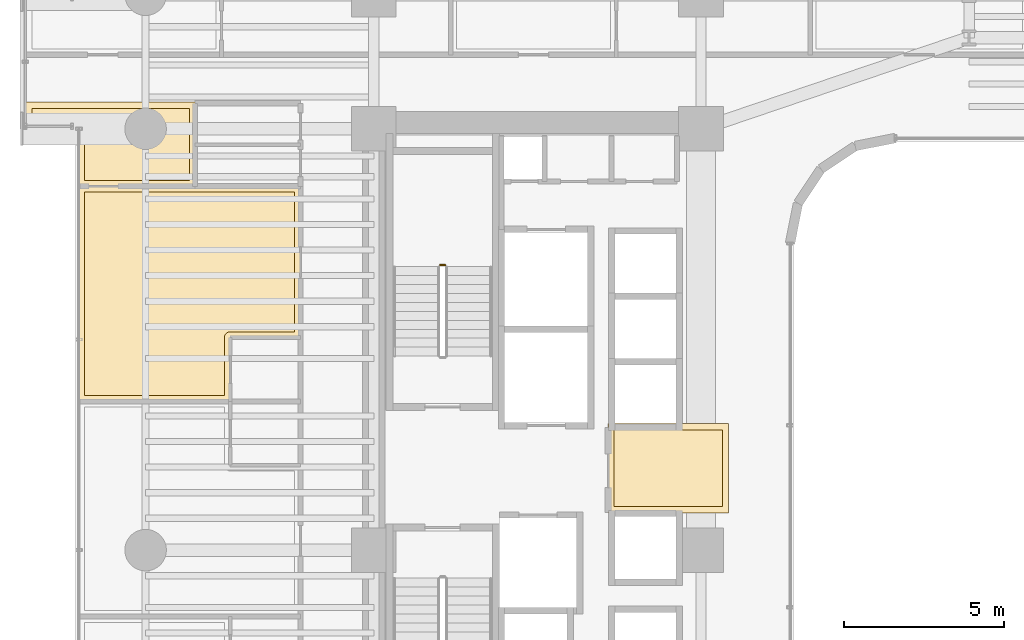
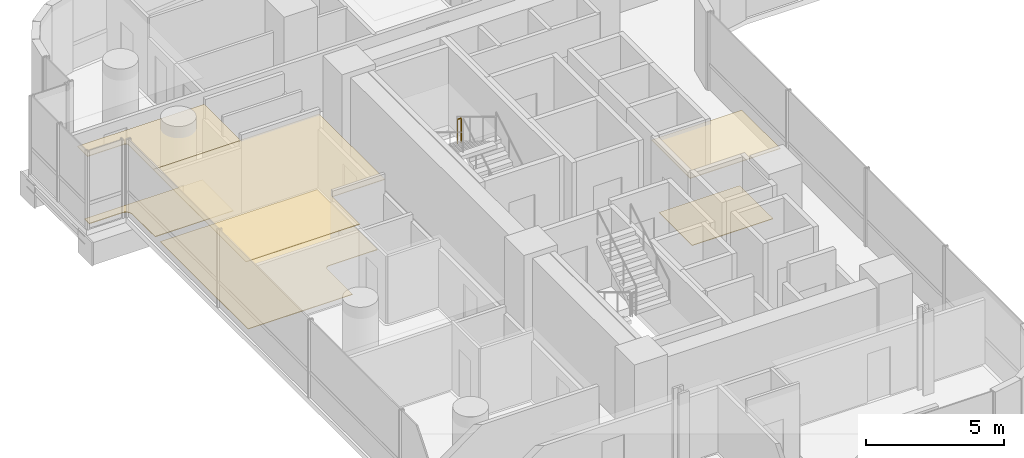
# One storey, part 38 of 42: 6 coverings, 1 railing.
"""IFC4 building model written with IfcOpenShell, lengths in metres."""

from ifc_helpers import new_model, si_unit, direction, frame, origin, origin_2d, place, context, subcontext, project, spatial, polyline, circle, outline, extrude, material, layer, layer_set, type_object, element, save


model = new_model("IFC4")

# Units and contexts
model_context = context("Model", 3, precision=1e-05, world=origin(), true_north=direction((0.0, 1.0)))
body_context = subcontext(model_context, "Body", "Model", "MODEL_VIEW")
ifc_project = project(units=[si_unit("LENGTHUNIT", "METRE"), si_unit("AREAUNIT", "SQUARE_METRE"), si_unit("VOLUMEUNIT", "CUBIC_METRE"), si_unit("PLANEANGLEUNIT", "RADIAN"), si_unit("MASSUNIT", "GRAM", prefix="KILO")], contexts=[model_context])

# Site, building, storey
site_placement = place(None, origin())
site = spatial("IfcSite", under=ifc_project, at=site_placement, CompositionType="ELEMENT")
building_placement = place(site_placement, origin())
building = spatial("IfcBuilding", under=site, at=building_placement, Name="Valdorenza Pilgrim Sanctuary Tower", CompositionType="ELEMENT")
storey_placement = place(building_placement, frame((0.0, 0.0, 55.60009765625)))
storey = spatial("IfcBuildingStorey", under=building, at=storey_placement, Name="L13", CompositionType="ELEMENT", Elevation=55.60009765625)

# Coverings
ifc_material_1 = material(Name="Micro-perforated acoustic mineral ceiling tile", Category="gypsum")
ifc_layer_1 = layer(ifc_material_1, 0.02490234375, Name="Micro-perforated acoustic mineral ceiling tile")
ifc_layer_set_1 = layer_set([ifc_layer_1], Name="Micro-perforated acoustic mineral ceiling tile")
covering_type_1 = type_object("IfcCoveringType", Name="COV-CLG-ACU", PredefinedType="CEILING", material=ifc_layer_set_1)
covering_1_placement = place(storey_placement, frame((0.0, 0.0, 3.159912109375)))
element("IfcCovering", 1, at=covering_1_placement, inside=storey, type_object=covering_type_1, Name="L13 Core A Passenger Lift Lobby Acoustic Ceiling", PredefinedType="CEILING", context=body_context, shape_type="SweptSolid", body=[
    extrude(outline(polyline([(-15.31298828125, 1.244384765625), (-15.31298828125, 1.24462890625), (-15.313720703125, 1.24609375), (-15.314208984375, 1.24755859375), (-15.314697265625, 1.2490234375), (-15.31494140625, 1.25048828125), (-15.31494140625, 1.251953125), (-15.31494140625, 1.35009765625), (-15.31494140625, 1.3515625), (-15.314697265625, 1.352783203125), (-15.314453125, 1.3544921875), (-15.31396484375, 1.355712890625), (-15.313232421875, 1.357177734375), (-15.3125, 1.3583984375), (-15.3115234375, 1.359619140625), (-15.310546875, 1.360595703125), (-15.3095703125, 1.361572265625), (-15.308349609375, 1.362548828125), (-15.30712890625, 1.36328125), (-15.3056640625, 1.364013671875), (-15.304443359375, 1.364501953125), (-15.302978515625, 1.36474609375), (-15.301513671875, 1.364990234375), (-15.300048828125, 1.364990234375), (-15.10205078125, 1.364990234375), (-15.1005859375, 1.364990234375), (-15.09912109375, 1.36474609375), (-15.097412109375, 1.3642578125), (-15.09619140625, 1.36376953125), (-15.0947265625, 1.363037109375), (-15.094482421875, 1.363037109375), (-13.185546875, 1.363037109375), (-13.185302734375, 1.363037109375), (-13.183837890625, 1.36376953125), (-13.1826171875, 1.3642578125), (-13.180908203125, 1.36474609375), (-13.179443359375, 1.364990234375), (-13.177978515625, 1.364990234375), (-11.550048828125, 1.364990234375), (-11.548583984375, 1.364990234375), (-11.547119140625, 1.36474609375), (-11.545654296875, 1.364501953125), (-11.544189453125, 1.364013671875), (-11.54296875, 1.36328125), (-11.541748046875, 1.362548828125), (-11.54052734375, 1.361572265625), (-11.539306640625, 1.360595703125), (-11.538330078125, 1.359619140625), (-11.53759765625, 1.3583984375), (-11.536865234375, 1.357177734375), (-11.5361328125, 1.355712890625), (-11.53564453125, 1.3544921875), (-11.535400390625, 1.352783203125), (-11.53515625, 1.3515625), (-11.534912109375, 1.35009765625), (-11.534912109375, -1.419921875), (-11.53515625, -1.42138671875), (-11.535400390625, -1.4228515625), (-11.53564453125, -1.42431640625), (-11.5361328125, -1.42578125), (-11.536865234375, -1.427001953125), (-11.53759765625, -1.42822265625), (-11.538330078125, -1.429443359375), (-11.539306640625, -1.4306640625), (-11.54052734375, -1.431640625), (-11.541748046875, -1.4326171875), (-11.54296875, -1.43310546875), (-11.544189453125, -1.433837890625), (-11.545654296875, -1.434326171875), (-11.547119140625, -1.434814453125), (-11.548583984375, -1.434814453125), (-11.550048828125, -1.43505859375), (-15.298095703125, -1.43505859375), (-15.299560546875, -1.434814453125), (-15.30078125, -1.434814453125), (-15.302490234375, -1.434326171875), (-15.3037109375, -1.433837890625), (-15.30517578125, -1.43310546875), (-15.306396484375, -1.4326171875), (-15.3076171875, -1.431640625), (-15.30859375, -1.4306640625), (-15.3095703125, -1.429443359375), (-15.310546875, -1.42822265625), (-15.311279296875, -1.427001953125), (-15.31201171875, -1.42578125), (-15.3125, -1.42431640625), (-15.312744140625, -1.4228515625), (-15.31298828125, -1.42138671875), (-15.31298828125, -1.419921875), (-15.31298828125, 1.244384765625)])), origin(), (0.0, 0.0, 1.0), 0.02490234375),
])
covering_2_placement = place(storey_placement, frame((0.0, 0.0, 3.159912109375)))
element("IfcCovering", 2, at=covering_2_placement, inside=storey, type_object=covering_type_1, Name="L13 Pilgrim Scholar Office L13-WN Acoustic Ceiling", PredefinedType="CEILING", context=body_context, shape_type="SweptSolid", body=[
    extrude(outline(polyline([(-28.237060546875, 11.39453125), (-28.237060546875, 10.103759765625), (-28.23681640625, 10.10302734375), (-28.23681640625, 10.1015625), (-28.23681640625, 10.10009765625), (-28.23681640625, 10.098388671875), (-28.237060546875, 10.09814453125), (-28.237060546875, 8.800048828125), (-28.237060546875, 8.798583984375), (-28.2373046875, 8.797119140625), (-28.237548828125, 8.795654296875), (-28.238037109375, 8.794189453125), (-28.23876953125, 8.79296875), (-28.239501953125, 8.791748046875), (-28.240478515625, 8.79052734375), (-28.241455078125, 8.789306640625), (-28.242431640625, 8.788330078125), (-28.24365234375, 8.78759765625), (-28.244873046875, 8.786865234375), (-28.246337890625, 8.7861328125), (-28.24755859375, 8.78564453125), (-28.2490234375, 8.785400390625), (-28.25048828125, 8.78515625), (-28.251953125, 8.784912109375), (-31.889892578125, 8.784912109375), (-31.8916015625, 8.78515625), (-31.892822265625, 8.785400390625), (-31.894287109375, 8.78564453125), (-31.895751953125, 8.7861328125), (-31.897216796875, 8.786865234375), (-31.898193359375, 8.78759765625), (-31.8994140625, 8.788330078125), (-31.900634765625, 8.789306640625), (-31.901611328125, 8.79052734375), (-31.902587890625, 8.791748046875), (-31.9033203125, 8.79296875), (-31.90380859375, 8.794189453125), (-31.904296875, 8.795654296875), (-31.90478515625, 8.797119140625), (-31.90478515625, 8.798583984375), (-31.905029296875, 8.800048828125), (-31.905029296875, 10.599609375), (-31.905517578125, 10.609375), (-31.90673828125, 10.618408203125), (-31.9091796875, 10.627685546875), (-31.912109375, 10.63623046875), (-31.916259765625, 10.644775390625), (-31.9208984375, 10.65283203125), (-31.926513671875, 10.660400390625), (-31.932861328125, 10.667236328125), (-31.939697265625, 10.67333984375), (-31.947265625, 10.678955078125), (-31.955078125, 10.683837890625), (-31.963623046875, 10.687744140625), (-31.972412109375, 10.69091796875), (-31.9814453125, 10.693115234375), (-31.99072265625, 10.694580078125), (-32.00048828125, 10.695068359375), (-33.5400390625, 10.695068359375), (-33.54150390625, 10.695068359375), (-33.54296875, 10.6953125), (-33.54443359375, 10.695556640625), (-33.545654296875, 10.696044921875), (-33.547119140625, 10.69677734375), (-33.54833984375, 10.697509765625), (-33.549560546875, 10.698486328125), (-33.550537109375, 10.699462890625), (-33.551513671875, 10.700439453125), (-33.552490234375, 10.70166015625), (-33.55322265625, 10.702880859375), (-33.553955078125, 10.704345703125), (-33.554443359375, 10.70556640625), (-33.5546875, 10.70703125), (-33.554931640625, 10.70849609375), (-33.554931640625, 10.7099609375), (-33.554931640625, 11.419921875), (-33.554931640625, 11.42138671875), (-33.5546875, 11.4228515625), (-33.554443359375, 11.42431640625), (-33.553955078125, 11.42578125), (-33.55322265625, 11.427001953125), (-33.552490234375, 11.42822265625), (-33.551513671875, 11.429443359375), (-33.550537109375, 11.4306640625), (-33.549560546875, 11.431640625), (-33.54833984375, 11.4326171875), (-33.547119140625, 11.43310546875), (-33.545654296875, 11.433837890625), (-33.54443359375, 11.434326171875), (-33.54296875, 11.434814453125), (-33.54150390625, 11.434814453125), (-33.5400390625, 11.43505859375), (-28.25, 11.43505859375), (-28.24853515625, 11.434814453125), (-28.2470703125, 11.434814453125), (-28.24560546875, 11.434326171875), (-28.244384765625, 11.433837890625), (-28.242919921875, 11.43310546875), (-28.24169921875, 11.4326171875), (-28.240478515625, 11.431640625), (-28.239501953125, 11.4306640625), (-28.23828125, 11.429443359375), (-28.237548828125, 11.42822265625), (-28.23681640625, 11.427001953125), (-28.236083984375, 11.42578125), (-28.235595703125, 11.42431640625), (-28.2353515625, 11.4228515625), (-28.235107421875, 11.42138671875), (-28.235107421875, 11.419921875), (-28.235107421875, 11.402099609375), (-28.235107421875, 11.400390625), (-28.2353515625, 11.39892578125), (-28.235595703125, 11.3974609375), (-28.236083984375, 11.39599609375), (-28.23681640625, 11.394775390625), (-28.237060546875, 11.39453125)])), origin(), (0.0, 0.0, 1.0), 0.02490234375),
])
covering_3_placement = place(storey_placement, frame((0.0, 0.0, 3.159912109375)))
element("IfcCovering", 3, at=covering_3_placement, inside=storey, type_object=covering_type_1, Name="L13 Sanctuary Guest Room L13-W3 Acoustic Ceiling", PredefinedType="CEILING", context=body_context, shape_type="SweptSolid", body=[
    extrude(outline(polyline([(-28.253662109375, 8.81298828125), (-28.253173828125, 8.81298828125), (-28.25146484375, 8.813232421875), (-28.25, 8.813232421875), (-28.24853515625, 8.81298828125), (-28.248291015625, 8.81298828125), (-24.949951171875, 8.81298828125), (-24.948486328125, 8.81298828125), (-24.947021484375, 8.812744140625), (-24.945556640625, 8.8125), (-24.9443359375, 8.81201171875), (-24.94287109375, 8.811279296875), (-24.941650390625, 8.810546875), (-24.9404296875, 8.8095703125), (-24.939453125, 8.80859375), (-24.9384765625, 8.8076171875), (-24.9375, 8.806396484375), (-24.936767578125, 8.80517578125), (-24.93603515625, 8.8037109375), (-24.935546875, 8.802490234375), (-24.935302734375, 8.80078125), (-24.93505859375, 8.799560546875), (-24.93505859375, 8.798095703125), (-24.93505859375, 4.06201171875), (-24.93505859375, 4.060546875), (-24.935302734375, 4.05908203125), (-24.935546875, 4.0576171875), (-24.93603515625, 4.056396484375), (-24.936767578125, 4.054931640625), (-24.9375, 4.0537109375), (-24.9384765625, 4.052490234375), (-24.939453125, 4.051513671875), (-24.9404296875, 4.05029296875), (-24.941650390625, 4.049560546875), (-24.94287109375, 4.048828125), (-24.9443359375, 4.048095703125), (-24.945556640625, 4.047607421875), (-24.947021484375, 4.04736328125), (-24.948486328125, 4.047119140625), (-24.949951171875, 4.047119140625), (-27.136962890625, 4.047119140625), (-27.136962890625, 2.06201171875), (-27.13720703125, 2.060546875), (-27.13720703125, 2.05908203125), (-27.1376953125, 2.0576171875), (-27.13818359375, 2.056396484375), (-27.138916015625, 2.054931640625), (-27.139404296875, 2.0537109375), (-27.140380859375, 2.052490234375), (-27.141357421875, 2.051513671875), (-27.142578125, 2.05029296875), (-27.143798828125, 2.049560546875), (-27.14501953125, 2.048828125), (-27.146240234375, 2.048095703125), (-27.147705078125, 2.047607421875), (-27.149169921875, 2.04736328125), (-27.150390625, 2.047119140625), (-27.152099609375, 2.047119140625), (-31.889892578125, 2.047119140625), (-31.8916015625, 2.047119140625), (-31.892822265625, 2.04736328125), (-31.894287109375, 2.047607421875), (-31.895751953125, 2.048095703125), (-31.897216796875, 2.048828125), (-31.898193359375, 2.049560546875), (-31.8994140625, 2.05029296875), (-31.900634765625, 2.051513671875), (-31.901611328125, 2.052490234375), (-31.902587890625, 2.0537109375), (-31.9033203125, 2.054931640625), (-31.90380859375, 2.056396484375), (-31.904296875, 2.0576171875), (-31.90478515625, 2.05908203125), (-31.90478515625, 2.060546875), (-31.905029296875, 2.06201171875), (-31.905029296875, 8.798095703125), (-31.90478515625, 8.799560546875), (-31.90478515625, 8.80078125), (-31.904296875, 8.802490234375), (-31.90380859375, 8.8037109375), (-31.9033203125, 8.80517578125), (-31.902587890625, 8.806396484375), (-31.901611328125, 8.8076171875), (-31.900634765625, 8.80859375), (-31.8994140625, 8.8095703125), (-31.898193359375, 8.810546875), (-31.897216796875, 8.811279296875), (-31.895751953125, 8.81201171875), (-31.894287109375, 8.8125), (-31.892822265625, 8.812744140625), (-31.8916015625, 8.81298828125), (-31.889892578125, 8.81298828125), (-28.253662109375, 8.81298828125)])), origin(), (0.0, 0.0, 1.0), 0.02490234375),
])
ifc_material_2 = material(Name="Engineered European oak timber flooring", Category="wood")
ifc_layer_2 = layer(ifc_material_2, 0.02197265625, Name="Engineered European oak timber flooring")
ifc_layer_set_2 = layer_set([ifc_layer_2], Name="Engineered European oak timber flooring")
covering_type_2 = type_object("IfcCoveringType", Name="COV-FLR-OAK", PredefinedType="FLOORING", material=ifc_layer_set_2)
covering_4_placement = place(storey_placement, origin())
element("IfcCovering", 4, at=covering_4_placement, inside=storey, type_object=covering_type_2, Name="L13 Sanctuary Guest Room L13-W3 Flooring", PredefinedType="FLOORING", context=body_context, shape_type="SweptSolid", body=[
    extrude(outline(polyline([(-28.250244140625, 8.617919921875), (-28.25, 8.617919921875), (-25.1298828125, 8.617919921875), (-25.1298828125, 4.241943359375), (-27.14990234375, 4.241943359375), (-27.15869140625, 4.24169921875), (-27.158935546875, 4.24169921875), (-27.176513671875, 4.239990234375), (-27.1767578125, 4.239990234375), (-27.194091796875, 4.236572265625), (-27.1943359375, 4.236572265625), (-27.211181640625, 4.2314453125), (-27.21142578125, 4.231201171875), (-27.227783203125, 4.224609375), (-27.227783203125, 4.224609375), (-27.243408203125, 4.21630859375), (-27.24365234375, 4.216064453125), (-27.25830078125, 4.206298828125), (-27.258544921875, 4.2060546875), (-27.272216796875, 4.19482421875), (-27.272216796875, 4.19482421875), (-27.284912109375, 4.182373046875), (-27.284912109375, 4.18212890625), (-27.296142578125, 4.16845703125), (-27.296142578125, 4.168212890625), (-27.30615234375, 4.153564453125), (-27.30615234375, 4.153564453125), (-27.314453125, 4.137939453125), (-27.314697265625, 4.1376953125), (-27.3212890625, 4.121337890625), (-27.3212890625, 4.12109375), (-27.326416015625, 4.104248046875), (-27.32666015625, 4.10400390625), (-27.330078125, 4.0869140625), (-27.330078125, 4.086669921875), (-27.331787109375, 4.069091796875), (-27.331787109375, 4.06884765625), (-27.33203125, 4.06005859375), (-27.33203125, 2.241943359375), (-31.7099609375, 2.241943359375), (-31.7099609375, 8.617919921875), (-28.251953125, 8.617919921875), (-28.2509765625, 8.617919921875), (-28.250244140625, 8.617919921875)])), origin(), (0.0, 0.0, 1.0), 0.02490234375),
])
ifc_material_3 = material(Name="Honed travertine stone flooring", Category="masonry")
ifc_layer_3 = layer(ifc_material_3, 0.030029296875, Name="Honed travertine stone flooring")
ifc_layer_set_3 = layer_set([ifc_layer_3], Name="Honed travertine stone flooring")
covering_type_3 = type_object("IfcCoveringType", Name="COV-FLR-TRV", PredefinedType="FLOORING", material=ifc_layer_set_3)
covering_5_placement = place(storey_placement, origin())
element("IfcCovering", 5, at=covering_5_placement, inside=storey, type_object=covering_type_3, Name="L13 Core A Passenger Lift Lobby Flooring", PredefinedType="FLOORING", context=body_context, shape_type="SweptSolid", body=[
    extrude(outline(polyline([(-15.117919921875, 1.169189453125), (-15.10888671875, 1.168212890625), (-15.10888671875, 1.168212890625), (-15.10009765625, 1.16796875), (-13.179931640625, 1.16796875), (-13.1796875, 1.16796875), (-11.72998046875, 1.169921875), (-11.72998046875, -1.239990234375), (-15.117919921875, -1.239990234375), (-15.117919921875, 1.169189453125)])), origin(), (0.0, 0.0, 1.0), 0.02490234375),
])
covering_6_placement = place(storey_placement, origin())
element("IfcCovering", 6, at=covering_6_placement, inside=storey, type_object=covering_type_3, Name="L13 Pilgrim Scholar Office L13-WN Flooring", PredefinedType="FLOORING", context=body_context, shape_type="SweptSolid", body=[
    extrude(outline(polyline([(-28.431884765625, 11.239990234375), (-28.431884765625, 10.10205078125), (-28.431884765625, 10.10107421875), (-28.431884765625, 10.100341796875), (-28.431884765625, 10.10009765625), (-28.431884765625, 8.97998046875), (-31.7099609375, 8.97998046875), (-31.7099609375, 10.60009765625), (-31.710205078125, 10.60888671875), (-31.710693359375, 10.61962890625), (-31.71240234375, 10.63720703125), (-31.714111328125, 10.64794921875), (-31.717529296875, 10.665283203125), (-31.72021484375, 10.67578125), (-31.725341796875, 10.692626953125), (-31.72900390625, 10.70263671875), (-31.735595703125, 10.718994140625), (-31.740234375, 10.728759765625), (-31.74853515625, 10.744384765625), (-31.754150390625, 10.753662109375), (-31.763916015625, 10.768310546875), (-31.7705078125, 10.777099609375), (-31.781494140625, 10.790771484375), (-31.788818359375, 10.798583984375), (-31.80126953125, 10.811279296875), (-31.809326171875, 10.818359375), (-31.822998046875, 10.82958984375), (-31.831787109375, 10.8359375), (-31.84619140625, 10.845947265625), (-31.855712890625, 10.851318359375), (-31.87109375, 10.859619140625), (-31.880859375, 10.8642578125), (-31.897216796875, 10.87109375), (-31.907470703125, 10.874755859375), (-31.92431640625, 10.8798828125), (-31.934814453125, 10.882568359375), (-31.9521484375, 10.885986328125), (-31.962890625, 10.887451171875), (-31.98046875, 10.889404296875), (-31.9912109375, 10.889892578125), (-32.0, 10.889892578125), (-33.360107421875, 10.889892578125), (-33.360107421875, 11.239990234375), (-28.431884765625, 11.239990234375)])), origin(), (0.0, 0.0, 1.0), 0.02490234375),
])

# Railing
ifc_material_4 = material(Name="Stainless steel Grade 316", Category="steel")
railing_type = type_object("IfcRailingType", Name="RLG-GRD-1120", PredefinedType="GUARDRAIL", material=ifc_material_4)
railing_placement = place(storey_placement, frame((-20.419921875, 6.330078125, 1.849853515625)))
element("IfcRailing", 7, at=railing_placement, inside=storey, type_object=railing_type, Name="L13 ST-A1 stair guard 2", PredefinedType="GUARDRAIL", context=body_context, shape_type="SweptSolid", body=[
    extrude(circle(Radius=0.02392578125, at=origin_2d()), frame((0.0, 0.0, 1.076171875), z_axis=(-1.0, 0.0, 0.0), x_axis=(0.0, -1.0, 0.0)), (0.0, 0.0, 1.0), 0.150146484375),
    extrude(circle(Radius=0.02099609375, at=origin_2d()), origin(), (0.0, 0.0, 1.0), 1.052001953125),
    extrude(circle(Radius=0.02099609375, at=origin_2d()), frame((-0.150146484375, 0.0, 0.0)), (0.0, 0.0, 1.0), 1.052001953125),
])

save(model, "model.ifc")
